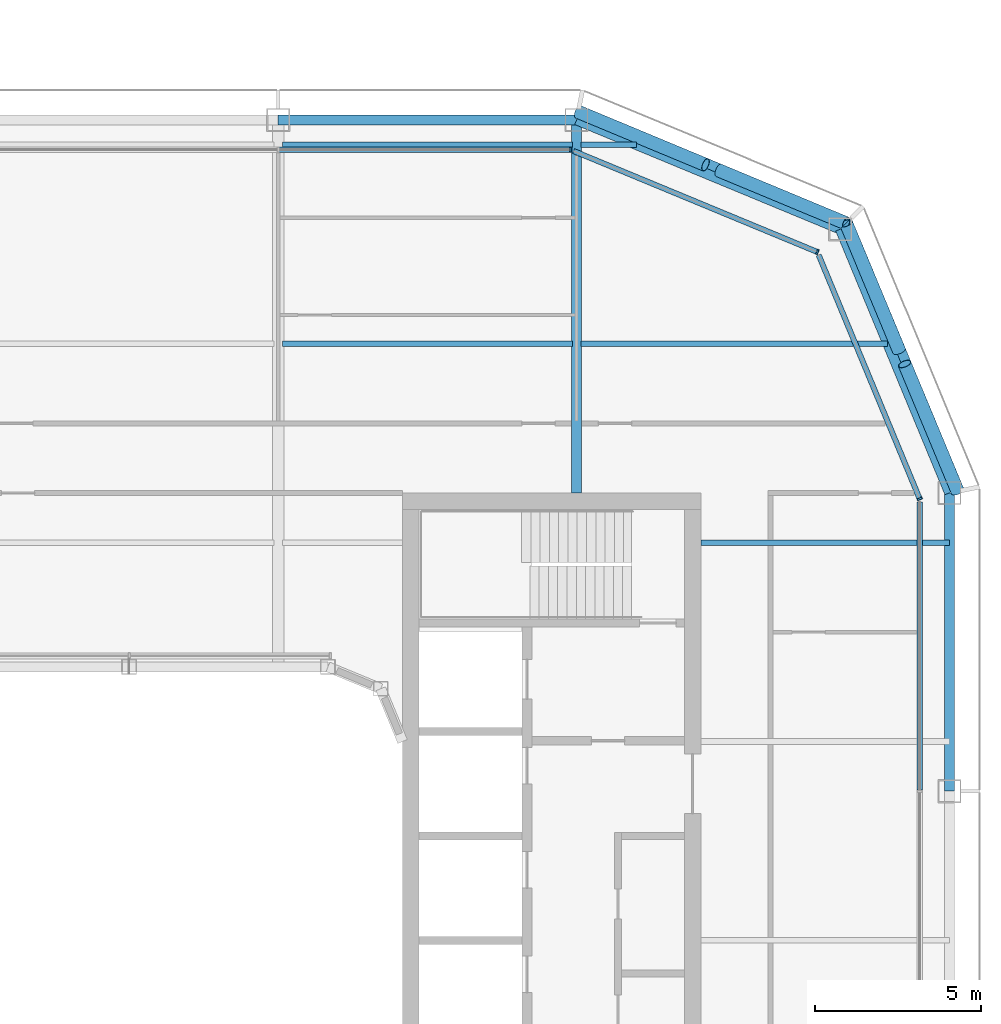
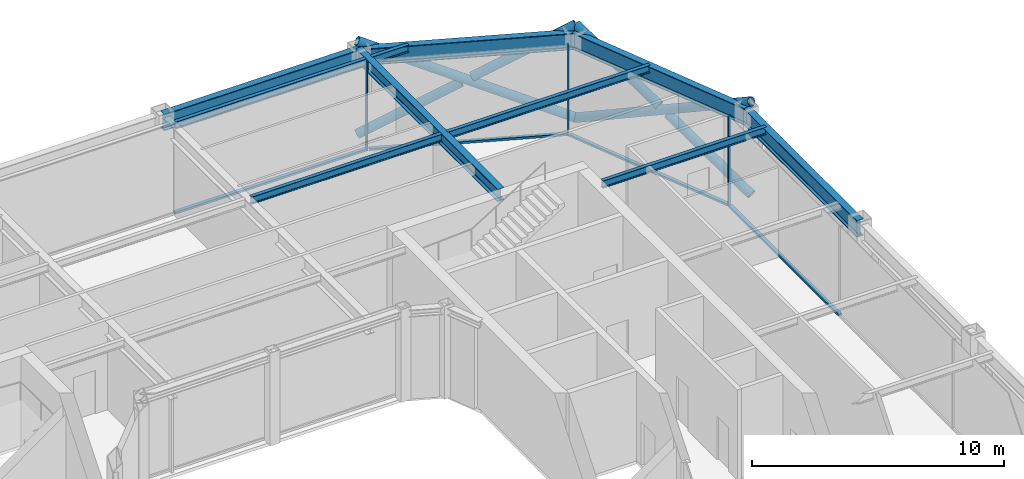
# One storey, part 10 of 22: 13 members, 10 beams, 4 elements without a shape of their own.
"""IFC4 building model written with IfcOpenShell, lengths in metres."""

import ifcopenshell
import ifcopenshell.guid

model = None  # the IFC model being written
_history = None  # IfcOwnerHistory: only IFC2X3 demands one
_inside = {}  # id of a spatial element -> (the spatial element, [elements in it])
_under = {}  # id of a project, library or spatial element -> (it, [spatial elements below it])
_declared = {}  # id of a project -> (the project, [libraries it declares])
_typed = {}  # id of a type object -> (the type object, [elements of that type])
_made_of = {}  # id of a material, layer set ... -> (it, [elements and type objects made of it])


def new_model(schema):
    """Start an empty IFC model of exactly this schema.

    Asked for "IFC4X3", IfcOpenShell would pick the latest addendum, in which some entities
    have other attributes; the version numbers below select the first issue.
    IFC2X3 requires an IfcOwnerHistory on every rooted entity: one is made here for all.
    """
    global model, _history
    if schema == "IFC4X3":
        model = ifcopenshell.file(schema_version=(4, 3, 0, 0))
    else:
        model = ifcopenshell.file(schema=schema)
    _inside.clear()
    _under.clear()
    _declared.clear()
    _typed.clear()
    _made_of.clear()
    _history = None
    if model.schema == "IFC2X3":
        org = make("IfcOrganization", Name="unknown")
        user = make(
            "IfcPersonAndOrganization",
            ThePerson=make("IfcPerson", FamilyName="unknown"),
            TheOrganization=org,
        )
        app = make(
            "IfcApplication",
            ApplicationDeveloper=org,
            Version="unknown",
            ApplicationFullName="unknown",
            ApplicationIdentifier="unknown",
        )
        _history = make(
            "IfcOwnerHistory",
            OwningUser=user,
            OwningApplication=app,
            ChangeAction="ADDED",
            CreationDate=0,
        )
    return model


def make(cls, **values):
    """One entity of the class cls with the attributes given. An attribute that is None is left unset."""
    return model.create_entity(
        cls, **{name: value for name, value in values.items() if value is not None}
    )


def rooted(cls, **values):
    """An entity with a GlobalId (a new one), such as an element, a storey or a relation."""
    return make(cls, GlobalId=ifcopenshell.guid.new(), OwnerHistory=_history, **values)


def si_unit(unit_type, name, prefix=None):
    """IfcSIUnit, for example si_unit("LENGTHUNIT", "METRE", prefix="MILLI")."""
    return make("IfcSIUnit", UnitType=unit_type, Prefix=prefix, Name=name)


def assignment(units):
    """IfcUnitAssignment: the units of a project."""
    return None if units is None else make("IfcUnitAssignment", Units=units)


def point(xyz):
    """IfcCartesianPoint."""
    return None if xyz is None else make("IfcCartesianPoint", Coordinates=xyz)


def direction(xyz):
    """IfcDirection."""
    return None if xyz is None else make("IfcDirection", DirectionRatios=xyz)


def frame(location, z_axis=None, x_axis=None):
    """IfcAxis2Placement3D, a coordinate frame: its origin and axes. An axis left out is left unset."""
    return make(
        "IfcAxis2Placement3D",
        Location=point(location),
        Axis=direction(z_axis),
        RefDirection=direction(x_axis),
    )


def frame_2d(location, x_axis=None):
    """IfcAxis2Placement2D, a coordinate frame in the plane: its origin and x axis."""
    return make(
        "IfcAxis2Placement2D", Location=point(location), RefDirection=direction(x_axis)
    )


def origin():
    """The frame at (0, 0, 0) with its axes left unset."""
    return frame((0.0, 0.0, 0.0))


def origin_2d():
    """The frame at (0, 0) in the plane with its x axis left unset."""
    return frame_2d((0.0, 0.0))


def place(relative_to, where):
    """IfcLocalPlacement: puts the frame where relative to a parent placement (None: the world)."""
    return make(
        "IfcLocalPlacement", PlacementRelTo=relative_to, RelativePlacement=where
    )


def context(
    kind, dimensions, precision=None, world=None, true_north=None, identifier=None
):
    """IfcGeometricRepresentationContext, for example the 3D "Model" context."""
    return make(
        "IfcGeometricRepresentationContext",
        ContextIdentifier=identifier,
        ContextType=kind,
        CoordinateSpaceDimension=dimensions,
        Precision=precision,
        WorldCoordinateSystem=world,
        TrueNorth=true_north,
    )


def subcontext(parent, identifier, kind, view, scale=None):
    """IfcGeometricRepresentationSubContext, for example "Body" below "Model"."""
    return make(
        "IfcGeometricRepresentationSubContext",
        ContextIdentifier=identifier,
        ContextType=kind,
        ParentContext=parent,
        TargetScale=scale,
        TargetView=view,
    )


def project(units=None, contexts=None):
    """IfcProject with its units and contexts."""
    return rooted(
        "IfcProject",
        Name="project",
        RepresentationContexts=contexts,
        UnitsInContext=assignment(units),
    )


def spatial(cls, under=None, at=None, **own):
    """A site, building, storey or space (cls), placed at a placement, below another one or the project."""
    s = rooted(cls, ObjectPlacement=at, **own)
    if under is not None:
        _under.setdefault(under.id(), (under, []))[1].append(s)
    return s


def profile(cls, at=None, kind="AREA", **sizes):
    """A parametric profile (cls). Its sizes go by their IFC names, for example OverallWidth=200.0."""
    return make(cls, ProfileType=kind, Position=at, **sizes)


def rectangle(**sizes):
    """IfcRectangleProfileDef."""
    return profile("IfcRectangleProfileDef", **sizes)


def hollow_circle(**sizes):
    """IfcCircleHollowProfileDef."""
    return profile("IfcCircleHollowProfileDef", **sizes)


def i_section(**sizes):
    """IfcIShapeProfileDef."""
    return profile("IfcIShapeProfileDef", **sizes)


def extrude(swept, where, along, depth):
    """IfcExtrudedAreaSolid: the profile swept, set in the frame where, extruded along a direction by depth."""
    return make(
        "IfcExtrudedAreaSolid",
        SweptArea=swept,
        Position=where,
        ExtrudedDirection=direction(along),
        Depth=depth,
    )


def shape(context_of_items, identifier, shape_type, items):
    """IfcShapeRepresentation: the items that make up one representation, for example the "Body"."""
    return make(
        "IfcShapeRepresentation",
        ContextOfItems=context_of_items,
        RepresentationIdentifier=identifier,
        RepresentationType=shape_type,
        Items=items,
    )


def material(Name=None, Category=None):
    """IfcMaterial."""
    return make("IfcMaterial", Name=Name, Category=Category)


def layer(
    of_material, thickness, ventilated=None, Name=None, Category=None, Priority=None
):
    """IfcMaterialLayer: one layer of a wall or slab, of a material (None: an air gap)."""
    return make(
        "IfcMaterialLayer",
        Material=of_material,
        LayerThickness=thickness,
        IsVentilated=ventilated,
        Name=Name,
        Category=Category,
        Priority=Priority,
    )


def layer_set(layers, Name=None):
    """IfcMaterialLayerSet."""
    return make("IfcMaterialLayerSet", MaterialLayers=layers, LayerSetName=Name)


def material_profile(
    of_material, cross_section, Name=None, Category=None, Priority=None
):
    """IfcMaterialProfile: a cross section and its material."""
    return make(
        "IfcMaterialProfile",
        Name=Name,
        Material=of_material,
        Profile=cross_section,
        Priority=Priority,
        Category=Category,
    )


def profile_set(profiles, Name=None, composite=None):
    """IfcMaterialProfileSet."""
    return make(
        "IfcMaterialProfileSet",
        Name=Name,
        MaterialProfiles=profiles,
        CompositeProfile=composite,
    )


def made_of(thing, what):
    """Note that an element or type object is made of a material, layer set ...; save() writes the relation."""
    if what is not None:
        _made_of.setdefault(what.id(), (what, []))[1].append(thing)
    return thing


def type_object(cls, material=None, **own):
    """A type object (cls), such as IfcWallType, which elements share."""
    return made_of(rooted(cls, **own), material)


def element(
    cls,
    number,
    at=None,
    inside=None,
    cuts=None,
    type_object=None,
    material=None,
    context=None,
    identifier="Body",
    shape_type=None,
    held_by="IfcProductDefinitionShape",
    body=None,
    shapes=None,
    **own,
):
    """One element of the class cls, such as IfcWall. Its Tag is "e" and its number.

    at: its placement. inside: the storey or other place that contains it. cuts: it is an
    opening in that element (IfcRelVoidsElement). A single representation is given by context,
    identifier, shape_type and body (its items); several are given by shapes. held_by: the class
    of the entity that holds the representations. save() writes the other relations.
    """
    e = rooted(cls, Tag="e%d" % number, ObjectPlacement=at, **own)
    if body is not None:
        shapes = [shape(context, identifier, shape_type, body)]
    if shapes is not None:
        e.Representation = make(held_by, Representations=shapes)
    if inside is not None:
        _inside.setdefault(inside.id(), (inside, []))[1].append(e)
    if cuts is not None:
        rooted(
            "IfcRelVoidsElement", RelatingBuildingElement=cuts, RelatedOpeningElement=e
        )
    if type_object is not None:
        _typed.setdefault(type_object.id(), (type_object, []))[1].append(e)
    return made_of(e, material)


def aggregate(whole, parts):
    """IfcRelAggregates: a whole, such as a stair, and the parts it consists of."""
    return rooted("IfcRelAggregates", RelatingObject=whole, RelatedObjects=parts)


def save(model, path):
    """Write the relations noted so far, then the file.

    IfcRelAggregates (storeys below a building ...), IfcRelContainedInSpatialStructure (elements
    in a storey), IfcRelDefinesByType, IfcRelAssociatesMaterial and IfcRelDeclares: one each for
    every whole, place, type object, material and project.
    """
    for whole, parts in _under.values():
        aggregate(whole, parts)
    for where, things in _inside.values():
        rooted(
            "IfcRelContainedInSpatialStructure",
            RelatedElements=things,
            RelatingStructure=where,
        )
    for kind, things in _typed.values():
        rooted("IfcRelDefinesByType", RelatedObjects=things, RelatingType=kind)
    for what, things in _made_of.values():
        rooted("IfcRelAssociatesMaterial", RelatedObjects=things, RelatingMaterial=what)
    for by, libraries in _declared.values():
        rooted("IfcRelDeclares", RelatingContext=by, RelatedDefinitions=libraries)
    model.write(path)


model = new_model("IFC4")

# Units and contexts
model_context = context("Model", 3, precision=1e-05, world=origin(), true_north=direction((0.0, 1.0)))
body_context = subcontext(model_context, "Body", "Model", "MODEL_VIEW")
ifc_project = project(units=[si_unit("LENGTHUNIT", "METRE"), si_unit("AREAUNIT", "SQUARE_METRE"), si_unit("VOLUMEUNIT", "CUBIC_METRE"), si_unit("PLANEANGLEUNIT", "RADIAN"), si_unit("MASSUNIT", "GRAM", prefix="KILO")], contexts=[model_context])

# Site, building, storey
site_placement = place(None, origin())
site = spatial("IfcSite", under=ifc_project, at=site_placement, CompositionType="ELEMENT")
building_placement = place(site_placement, origin())
building = spatial("IfcBuilding", under=site, at=building_placement, Name="Siwar Civic Tower", CompositionType="ELEMENT")
storey_placement = place(building_placement, frame((0.0, 0.0, 330.199951171875)))
storey = spatial("IfcBuildingStorey", under=building, at=storey_placement, Name="L71", CompositionType="ELEMENT", Elevation=330.199951171875)

# Curtain wall, member
ifc_material_1 = material(Name="Aluminium clad insulated panel", Category="aluminium")
ifc_layer_1 = layer(ifc_material_1, 0.159912109375)
ifc_layer_set_1 = layer_set([ifc_layer_1], Name="Aluminium clad insulated panel")
curtain_wall_type_1 = type_object("IfcCurtainWallType", Name="ENV-CW-DX", PredefinedType="NOTDEFINED", material=ifc_layer_set_1)
curtain_wall_1_placement = place(storey_placement, origin())
curtain_wall_1 = element("IfcCurtainWall", 1, at=curtain_wall_1_placement, inside=storey, type_object=curtain_wall_type_1, Name="Curtain wall D NE1", PredefinedType="NOTDEFINED")
ifc_material_2 = material(Name="Aluminium 6063-T6", Category="aluminium")
ifc_material_profile_1 = material_profile(ifc_material_2, rectangle(XDim=0.159912109375, YDim=0.06005859375, at=origin_2d()), Name="AL 160x60")
ifc_profile_set_1 = profile_set([ifc_material_profile_1], Name="Aluminium 6063-T6")
member_type_1 = type_object("IfcMemberType", Name="ENV-MULLION-D", PredefinedType="MULLION", material=ifc_profile_set_1)
member_1_placement = place(storey_placement, frame((23.85009765625, 13.321044921875, 0.0), z_axis=(0.0, 0.0, 1.0), x_axis=(-0.923879532511, -0.382683432365, 0.0)))
member_1 = element("IfcMember", 2, at=member_1_placement, type_object=member_type_1, Name="Mullion D NE1 1", PredefinedType="MULLION", context=body_context, shape_type="SweptSolid", body=[
    extrude(rectangle(XDim=0.159912109375, YDim=0.06005859375, at=origin_2d()), origin(), (0.0, 0.0, 1.0), 4.35009765625),
])

curtain_wall_2_placement = place(storey_placement, origin())
curtain_wall_2 = element("IfcCurtainWall", 3, at=curtain_wall_2_placement, inside=storey, type_object=curtain_wall_type_1, Name="Curtain wall D NE2", PredefinedType="NOTDEFINED")
member_2_placement = place(storey_placement, frame((20.76611328125, 20.76611328125, 0.0), z_axis=(0.0, 0.0, 1.0), x_axis=(-0.382683432365, -0.923879532511, 0.0)))
member_2 = element("IfcMember", 4, at=member_2_placement, type_object=member_type_1, Name="Mullion D NE2 1", PredefinedType="MULLION", context=body_context, shape_type="SweptSolid", body=[
    extrude(rectangle(XDim=0.159912109375, YDim=0.06005859375, at=origin_2d()), origin(), (0.0, 0.0, 1.0), 4.35009765625),
])

ifc_material_3 = material(Name="Aluminium and glass", Category="aluminium")
ifc_layer_2 = layer(ifc_material_3, 0.159912109375)
ifc_layer_set_2 = layer_set([ifc_layer_2], Name="Aluminium and glass")
curtain_wall_type_2 = type_object("IfcCurtainWallType", Name="ENV-CW-D", PredefinedType="NOTDEFINED", material=ifc_layer_set_2)
curtain_wall_3_placement = place(storey_placement, origin())
curtain_wall_3 = element("IfcCurtainWall", 5, at=curtain_wall_3_placement, inside=storey, type_object=curtain_wall_type_2, Name="Curtain wall D N", PredefinedType="NOTDEFINED")
member_3_placement = place(storey_placement, frame((13.321044921875, 23.85009765625, 0.0), z_axis=(0.0, 0.0, 1.0), x_axis=(0.0, -1.0, 0.0)))
member_3 = element("IfcMember", 6, at=member_3_placement, type_object=member_type_1, Name="Mullion D N 1", PredefinedType="MULLION", context=body_context, shape_type="SweptSolid", body=[
    extrude(rectangle(XDim=0.159912109375, YDim=0.06005859375, at=origin_2d()), origin(), (0.0, 0.0, 1.0), 4.35009765625),
])

curtain_wall_4_placement = place(storey_placement, origin())
curtain_wall_4 = element("IfcCurtainWall", 7, at=curtain_wall_4_placement, inside=storey, type_object=curtain_wall_type_2, Name="Curtain wall D E", PredefinedType="NOTDEFINED")
ifc_material_4 = material(Name="Aluminium 6063-T6", Category="aluminium")
ifc_material_profile_2 = material_profile(ifc_material_4, rectangle(XDim=0.159912109375, YDim=0.10009765625, at=origin_2d()), Name="AL 160x100")
ifc_profile_set_2 = profile_set([ifc_material_profile_2], Name="Aluminium 6063-T6")
member_type_2 = type_object("IfcMemberType", Name="ENV-TRANSOM-D", PredefinedType="USERDEFINED", material=ifc_profile_set_2)
member_4_placement = place(storey_placement, frame((23.85009765625, 4.530029296875, 0.050048828125), z_axis=(0.0, 1.0, 0.0), x_axis=(-1.0, 0.0, 0.0)))
member_4 = element("IfcMember", 8, at=member_4_placement, type_object=member_type_2, Name="Transom D E 3", ObjectType="TRANSOM", PredefinedType="USERDEFINED", context=body_context, shape_type="SweptSolid", body=[
    extrude(rectangle(XDim=0.159912109375, YDim=0.10009765625, at=origin_2d()), origin(), (0.0, 0.0, 1.0), 8.693115234375),
])
aggregate(curtain_wall_4, [member_4])

# Member
member_5_placement = place(storey_placement, frame((23.838623046875, 13.3486328125, 0.050048828125), z_axis=(-0.382699790424, 0.923872756612, 0.0), x_axis=(-0.923872756612, -0.382699790424, 0.0)))
member_5 = element("IfcMember", 9, at=member_5_placement, type_object=member_type_2, Name="Transom D NE1 1", ObjectType="TRANSOM", PredefinedType="USERDEFINED", context=body_context, shape_type="SweptSolid", body=[
    extrude(rectangle(XDim=0.159912109375, YDim=0.10009765625, at=origin_2d()), origin(), (0.0, 0.0, 1.0), 7.930908203125),
])

aggregate(curtain_wall_1, [member_1, member_5])

member_6_placement = place(storey_placement, frame((20.738525390625, 20.777587890625, 0.050048828125), z_axis=(-0.923883640343, 0.382673515031, 0.0), x_axis=(-0.382673515031, -0.923883640343, 0.0)))
member_6 = element("IfcMember", 10, at=member_6_placement, type_object=member_type_2, Name="Transom D NE2 1", ObjectType="TRANSOM", PredefinedType="USERDEFINED", context=body_context, shape_type="SweptSolid", body=[
    extrude(rectangle(XDim=0.159912109375, YDim=0.10009765625, at=origin_2d()), origin(), (0.0, 0.0, 1.0), 7.930908203125),
])

aggregate(curtain_wall_2, [member_2, member_6])

member_7_placement = place(storey_placement, frame((13.291015625, 23.85009765625, 0.050048828125), z_axis=(-1.0, 0.0, 0.0), x_axis=(0.0, -1.0, 0.0)))
member_7 = element("IfcMember", 11, at=member_7_placement, type_object=member_type_2, Name="Transom D N 1", ObjectType="TRANSOM", PredefinedType="USERDEFINED", context=body_context, shape_type="SweptSolid", body=[
    extrude(rectangle(XDim=0.159912109375, YDim=0.10009765625, at=origin_2d()), origin(), (0.0, 0.0, 1.0), 8.760986328125),
])

aggregate(curtain_wall_3, [member_3, member_7])

# Members
ifc_material_5 = material(Name="Steel S355", Category="steel")
ifc_material_profile_3 = material_profile(ifc_material_5, hollow_circle(Radius=0.203125, WallThickness=0.01611328125, at=origin_2d()), Name="CHS406.4x16")
ifc_profile_set_3 = profile_set([ifc_material_profile_3], Name="Steel S355")
member_type_3 = type_object("IfcMemberType", Name="STR-BR-CHS406.4x16", PredefinedType="BRACE", material=ifc_profile_set_3)
member_8_placement = place(storey_placement, frame((21.6318359375, 21.6318359375, 0.0), z_axis=(-0.821142553604, 0.341671493852, 0.457149315816), x_axis=(-0.384163874976, -0.923264922524, 0.0)))
element("IfcMember", 12, at=member_8_placement, inside=storey, type_object=member_type_3, Name="L71/brc/DNE1-10-0-1", PredefinedType="BRACE", context=body_context, shape_type="SweptSolid", body=[
    extrude(hollow_circle(Radius=0.203125, WallThickness=0.01611328125, at=origin_2d()), origin(), (0.0, 0.0, 1.0), 9.843505859375),
])
for number, where, z_axis, x_axis, name in (
    (13, (13.548828125, 24.9951171875, 0.0), (0.821130093572, -0.341659024948, 0.45718101459), (0.384156893273, 0.923267827529, 0.0), "L71/brc/DNE1-10-0-2"),
    (14, (17.791259765625, 23.229736328125, 2.362060546875), (0.821166691915, -0.341652533125, 0.457120127208), (0.38413607648, 0.923276488787, 0.0), "L71/brc/DNE1-10-0-3"),
):
    element("IfcMember", number, at=place(storey_placement, frame(where, z_axis=z_axis, x_axis=x_axis)), inside=storey, type_object=member_type_3, Name=name, PredefinedType="BRACE", context=body_context, shape_type="SweptSolid", body=[
        extrude(hollow_circle(Radius=0.203125, WallThickness=0.01611328125, at=origin_2d()), origin(), (0.0, 0.0, 1.0), 4.677001953125),
    ])
member_9_placement = place(storey_placement, frame((21.6318359375, 21.6318359375, 0.0), z_axis=(0.341671493852, -0.821142553604, 0.457149315816), x_axis=(0.923264922524, 0.384163874976, 0.0)))
element("IfcMember", 15, at=member_9_placement, inside=storey, type_object=member_type_3, Name="L71/brc/DNE1-10-0-0", PredefinedType="BRACE", context=body_context, shape_type="SweptSolid", body=[
    extrude(hollow_circle(Radius=0.203125, WallThickness=0.01611328125, at=origin_2d()), origin(), (0.0, 0.0, 1.0), 9.843505859375),
])
for number, where, z_axis, x_axis, name in (
    (16, (24.9951171875, 13.548828125, 0.0), (-0.341659024948, 0.821130093572, 0.45718101459), (-0.923267827529, -0.384156893273, 0.0), "L71/brc/DNE1-10-0-4"),
    (17, (23.229736328125, 17.791259765625, 2.362060546875), (-0.341652533125, 0.821166691915, 0.457120127208), (-0.923276488787, -0.38413607648, 0.0), "L71/brc/DNE1-10-0-5"),
):
    element("IfcMember", number, at=place(storey_placement, frame(where, z_axis=z_axis, x_axis=x_axis)), inside=storey, type_object=member_type_3, Name=name, PredefinedType="BRACE", context=body_context, shape_type="SweptSolid", body=[
        extrude(hollow_circle(Radius=0.203125, WallThickness=0.01611328125, at=origin_2d()), origin(), (0.0, 0.0, 1.0), 4.677001953125),
    ])

# Beams
ifc_material_6 = material(Name="Steel S355", Category="steel")
ifc_material_profile_4 = material_profile(ifc_material_6, i_section(OverallWidth=0.169921875, OverallDepth=0.360107421875, WebThickness=0.008056640625, FlangeThickness=0.0126953125, FilletRadius=0.01806640625, at=origin_2d()), Name="IPE360")
ifc_profile_set_4 = profile_set([ifc_material_profile_4], Name="Steel S355")
beam_type_1 = type_object("IfcBeamType", Name="STR-FB-IPE360", PredefinedType="JOIST", material=ifc_profile_set_4)
beam_1_placement = place(storey_placement, frame((17.25, 12.0, 4.170166015625), z_axis=(1.0, 0.0, 0.0), x_axis=(0.0, 1.0, 0.0)))
element("IfcBeam", 18, at=beam_1_placement, inside=storey, type_object=beam_type_1, Name="L71/bm/F026", PredefinedType="JOIST", context=body_context, shape_type="SweptSolid", body=[
    extrude(i_section(OverallWidth=0.169921875, OverallDepth=0.360107421875, WebThickness=0.008056640625, FlangeThickness=0.0126953125, FilletRadius=0.01806640625, at=origin_2d()), origin(), (0.0, 0.0, 1.0), 7.5),
])
beam_2_placement = place(storey_placement, frame((4.6298828125, 18.0, 4.170166015625), z_axis=(1.0, 0.0, 0.0), x_axis=(0.0, 1.0, 0.0)))
element("IfcBeam", 19, at=beam_2_placement, inside=storey, type_object=beam_type_1, Name="L71/bm/F030", PredefinedType="JOIST", context=body_context, shape_type="SweptSolid", body=[
    extrude(i_section(OverallWidth=0.169921875, OverallDepth=0.360107421875, WebThickness=0.008056640625, FlangeThickness=0.0126953125, FilletRadius=0.01806640625, at=origin_2d()), origin(), (0.0, 0.0, 1.0), 8.740234375),
])
beam_3_placement = place(storey_placement, frame((13.6298828125, 18.0, 4.170166015625), z_axis=(1.0, 0.0, 0.0), x_axis=(0.0, 1.0, 0.0)))
element("IfcBeam", 20, at=beam_3_placement, inside=storey, type_object=beam_type_1, Name="L71/bm/F031", PredefinedType="JOIST", context=body_context, shape_type="SweptSolid", body=[
    extrude(i_section(OverallWidth=0.169921875, OverallDepth=0.360107421875, WebThickness=0.008056640625, FlangeThickness=0.0126953125, FilletRadius=0.01806640625, at=origin_2d()), origin(), (0.0, 0.0, 1.0), 9.256103515625),
])
beam_4_placement = place(storey_placement, frame((4.6298828125, 24.0, 4.170166015625), z_axis=(1.0, 0.0, 0.0), x_axis=(0.0, 1.0, 0.0)))
element("IfcBeam", 21, at=beam_4_placement, inside=storey, type_object=beam_type_1, Name="L71/bm/F035", PredefinedType="JOIST", context=body_context, shape_type="SweptSolid", body=[
    extrude(i_section(OverallWidth=0.169921875, OverallDepth=0.360107421875, WebThickness=0.008056640625, FlangeThickness=0.0126953125, FilletRadius=0.01806640625, at=origin_2d()), origin(), (0.0, 0.0, 1.0), 8.740234375),
])
beam_5_placement = place(storey_placement, frame((13.6298828125, 24.0, 4.170166015625), z_axis=(1.0, 0.0, 0.0), x_axis=(0.0, 1.0, 0.0)))
element("IfcBeam", 22, at=beam_5_placement, inside=storey, type_object=beam_type_1, Name="L71/bm/F036", PredefinedType="JOIST", context=body_context, shape_type="SweptSolid", body=[
    extrude(i_section(OverallWidth=0.169921875, OverallDepth=0.360107421875, WebThickness=0.008056640625, FlangeThickness=0.0126953125, FilletRadius=0.01806640625, at=origin_2d()), origin(), (0.0, 0.0, 1.0), 1.6806640625),
])
ifc_material_7 = material(Name="Steel S355", Category="steel")
ifc_material_profile_5 = material_profile(ifc_material_7, i_section(OverallWidth=0.300048828125, OverallDepth=0.60009765625, WebThickness=0.015380859375, FlangeThickness=0.030029296875, FilletRadius=0.027099609375, at=origin_2d()), Name="HEB600")
ifc_profile_set_5 = profile_set([ifc_material_profile_5], Name="Steel S355")
beam_type_2 = type_object("IfcBeamType", Name="STR-PG-HEB600", PredefinedType="BEAM", material=ifc_profile_set_5)
beam_6_placement = place(storey_placement, frame((13.5, 13.5, 4.050048828125), z_axis=(0.0, 1.0, 0.0), x_axis=(-1.0, 0.0, 0.0)))
element("IfcBeam", 23, at=beam_6_placement, inside=storey, type_object=beam_type_2, Name="L71/bm/G08", PredefinedType="BEAM", context=body_context, shape_type="SweptSolid", body=[
    extrude(i_section(OverallWidth=0.300048828125, OverallDepth=0.60009765625, WebThickness=0.015380859375, FlangeThickness=0.030029296875, FilletRadius=0.027099609375, at=origin_2d()), origin(), (0.0, 0.0, 1.0), 11.25),
])
ifc_material_8 = material(Name="Steel S355", Category="steel")
ifc_material_profile_6 = material_profile(ifc_material_8, i_section(OverallWidth=0.300048828125, OverallDepth=0.800048828125, WebThickness=0.017578125, FlangeThickness=0.032958984375, FilletRadius=0.030029296875, at=origin_2d()), Name="HEB800")
ifc_profile_set_6 = profile_set([ifc_material_profile_6], Name="Steel S355")
beam_type_3 = type_object("IfcBeamType", Name="STR-SB-HEB800", PredefinedType="BEAM", material=ifc_profile_set_6)
beam_7_placement = place(storey_placement, frame((24.75, 4.5, 3.949951171875), z_axis=(0.0, 1.0, 0.0), x_axis=(-1.0, 0.0, 0.0)))
element("IfcBeam", 24, at=beam_7_placement, inside=storey, type_object=beam_type_3, Name="L71/bm/SE-2", PredefinedType="BEAM", context=body_context, shape_type="SweptSolid", body=[
    extrude(i_section(OverallWidth=0.300048828125, OverallDepth=0.800048828125, WebThickness=0.017578125, FlangeThickness=0.032958984375, FilletRadius=0.030029296875, at=origin_2d()), origin(), (0.0, 0.0, 1.0), 9.0),
])
for number, where, z_axis, x_axis, name in (
    (25, (24.75, 13.5, 3.949951171875), (-0.382699877515, 0.923872720536, 0.0), (-0.923872720536, -0.382699877515, 0.0), "L71/bm/SNE1-0"),
    (26, (21.454833984375, 21.454833984375, 3.949951171875), (-0.923872720536, 0.382699877515, 0.0), (-0.382699877515, -0.923872720536, 0.0), "L71/bm/SNE2-0"),
):
    element("IfcBeam", number, at=place(storey_placement, frame(where, z_axis=z_axis, x_axis=x_axis)), inside=storey, type_object=beam_type_3, Name=name, PredefinedType="BEAM", context=body_context, shape_type="SweptSolid", body=[
        extrude(i_section(OverallWidth=0.300048828125, OverallDepth=0.800048828125, WebThickness=0.017578125, FlangeThickness=0.032958984375, FilletRadius=0.030029296875, at=origin_2d()), origin(), (0.0, 0.0, 1.0), 8.6103515625),
    ])
beam_8_placement = place(storey_placement, frame((13.5, 24.75, 3.949951171875), z_axis=(-1.0, 0.0, 0.0), x_axis=(0.0, -1.0, 0.0)))
element("IfcBeam", 27, at=beam_8_placement, inside=storey, type_object=beam_type_3, Name="L71/bm/SN-0", PredefinedType="BEAM", context=body_context, shape_type="SweptSolid", body=[
    extrude(i_section(OverallWidth=0.300048828125, OverallDepth=0.800048828125, WebThickness=0.017578125, FlangeThickness=0.032958984375, FilletRadius=0.030029296875, at=origin_2d()), origin(), (0.0, 0.0, 1.0), 9.0),
])

save(model, "model.ifc")
